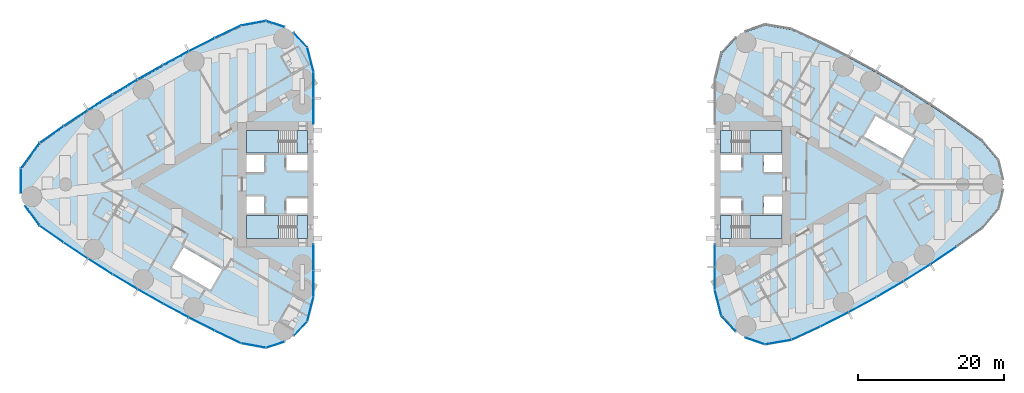
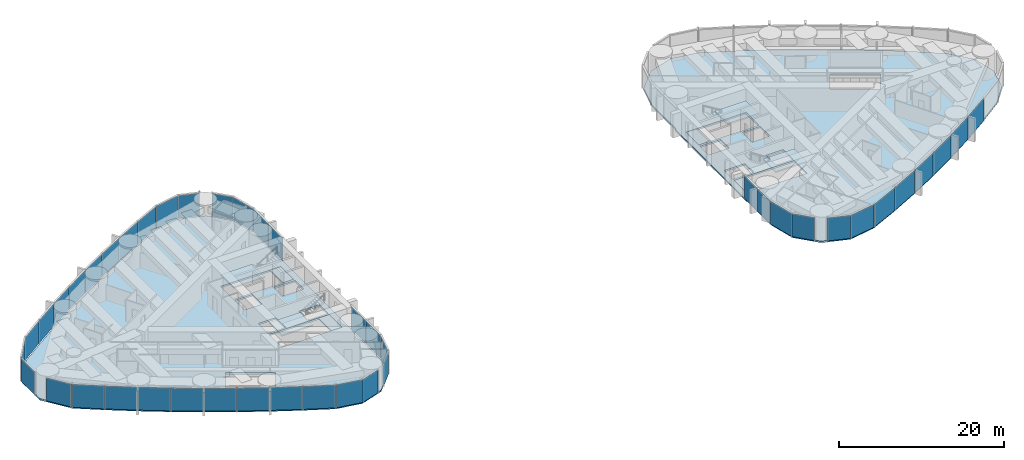
# One storey, part 10 of 19: 43 plates, 10 slabs, 10 elements without a shape of their own.
"""IFC4 building model written with IfcOpenShell, lengths in metres."""

from ifc_helpers import new_model, si_unit, direction, frame, origin, origin_2d, place, context, subcontext, project, spatial, polyline, rectangle, outline, extrude, material, layer, layer_set, type_object, element, aggregate, save


model = new_model("IFC4")

# Units and contexts
model_context = context("Model", 3, precision=1e-05, world=origin(), true_north=direction((0.0, 1.0)))
body_context = subcontext(model_context, "Body", "Model", "MODEL_VIEW")
ifc_project = project(units=[si_unit("LENGTHUNIT", "METRE"), si_unit("AREAUNIT", "SQUARE_METRE"), si_unit("VOLUMEUNIT", "CUBIC_METRE"), si_unit("PLANEANGLEUNIT", "RADIAN"), si_unit("MASSUNIT", "GRAM", prefix="KILO")], contexts=[model_context])

# Site, building, storey
site_placement = place(None, origin())
site = spatial("IfcSite", under=ifc_project, at=site_placement, CompositionType="ELEMENT")
building_placement = place(site_placement, origin())
building = spatial("IfcBuilding", under=site, at=building_placement, Name="Lancet Gate Hotel", CompositionType="ELEMENT")
storey_placement = place(building_placement, frame((0.0, 0.0, 184.300048828125)))
storey = spatial("IfcBuildingStorey", under=building, at=storey_placement, Name="L49", CompositionType="ELEMENT", Elevation=184.300048828125)

# Slabs
ifc_material_1 = material(Name="Concrete C50/60", Category="concrete")
ifc_layer_1 = layer(ifc_material_1, 0.25)
ifc_layer_set_1 = layer_set([ifc_layer_1], Name="Floor slab 250")
slab_type_1 = type_object("IfcSlabType", Name="Floor slab 250", PredefinedType="FLOOR", material=ifc_layer_set_1)
slab_1_placement = place(storey_placement, frame((0.0, 0.0, -0.25)))
element("IfcSlab", 1, at=slab_1_placement, inside=storey, type_object=slab_type_1, Name="T1 L49 floor slab", PredefinedType="FLOOR", context=body_context, shape_type="SweptSolid", body=[
    extrude(outline(polyline([(-27.5, 8.60009765625), (-27.6201171875, 8.60009765625), (-27.6201171875, 15.408203125), (-28.46923828125, 18.7265625), (-30.797607421875, 21.217529296875), (-34.0361328125, 22.283935546875), (-37.403564453125, 21.660400390625), (-40.996826171875, 19.9453125), (-44.561767578125, 18.139404296875), (-48.0830078125, 16.250244140625), (-51.558837890625, 14.27880859375), (-54.987548828125, 12.22607421875), (-58.366943359375, 10.09326171875), (-61.695068359375, 7.881591796875), (-64.955322265625, 5.602783203125), (-67.49560546875, 2.138427734375), (-67.49560546875, -2.138427734375), (-64.955322265625, -5.602783203125), (-61.695068359375, -7.881591796875), (-58.366943359375, -10.09326171875), (-54.987548828125, -12.22607421875), (-51.558837890625, -14.27880859375), (-48.0830078125, -16.250244140625), (-44.561767578125, -18.139404296875), (-40.996826171875, -19.9453125), (-37.403564453125, -21.660400390625), (-34.0361328125, -22.283935546875), (-30.797607421875, -21.217529296875), (-28.46923828125, -18.7265625), (-27.6201171875, -15.408203125), (-27.6201171875, -8.60009765625), (-27.5, -8.60009765625), (-27.5, -8.199951171875), (-27.5, 8.199951171875), (-27.5, 8.60009765625)]), holes=[polyline([(-36.699951171875, 7.39990234375), (-36.699951171875, 4.300048828125), (-28.300048828125, 4.300048828125), (-28.300048828125, 7.39990234375), (-36.699951171875, 7.39990234375)]), polyline([(-28.300048828125, 4.0), (-31.199951171875, 4.0), (-31.199951171875, 1.89990234375), (-28.300048828125, 1.89990234375), (-28.300048828125, 4.0)]), polyline([(-34.25, 4.0), (-36.699951171875, 4.0), (-36.699951171875, 1.64990234375), (-34.25, 1.64990234375), (-34.25, 4.0)]), polyline([(-36.699951171875, -1.64990234375), (-36.699951171875, -4.0), (-34.25, -4.0), (-34.25, -1.64990234375), (-36.699951171875, -1.64990234375)]), polyline([(-28.300048828125, -1.89990234375), (-31.199951171875, -1.89990234375), (-31.199951171875, -4.0), (-28.300048828125, -4.0), (-28.300048828125, -1.89990234375)]), polyline([(-28.300048828125, -4.300048828125), (-36.699951171875, -4.300048828125), (-36.699951171875, -7.39990234375), (-28.300048828125, -7.39990234375), (-28.300048828125, -4.300048828125)]), polyline([(-45.319091796875, -8.631103515625), (-46.9189453125, -11.402099609375), (-41.635986328125, -14.451904296875), (-40.035888671875, -11.680908203125), (-45.319091796875, -8.631103515625)])]), origin(), (0.0, 0.0, 1.0), 0.25),
])
slab_2_placement = place(storey_placement, frame((0.0, 0.0, -0.25)))
element("IfcSlab", 2, at=slab_2_placement, inside=storey, type_object=slab_type_1, Name="T2 L49 floor slab", PredefinedType="FLOOR", context=body_context, shape_type="SweptSolid", body=[
    extrude(outline(polyline([(27.5, -8.60009765625), (27.6201171875, -8.60009765625), (27.6201171875, -14.450439453125), (28.517822265625, -17.9853515625), (30.98291015625, -20.65185546875), (34.421875, -21.819091796875), (38.01513671875, -21.201171875), (41.9296875, -19.383056640625), (45.796875, -17.435302734375), (49.6005859375, -15.36572265625), (53.336669921875, -13.1767578125), (57.00146484375, -10.87060546875), (60.591552734375, -8.44921875), (64.092041015625, -5.9228515625), (66.283447265625, -3.307373046875), (67.06640625, 0.0), (66.283447265625, 3.307373046875), (64.092041015625, 5.9228515625), (60.591552734375, 8.44921875), (57.00146484375, 10.87060546875), (53.336669921875, 13.1767578125), (49.6005859375, 15.36572265625), (45.796875, 17.435302734375), (41.9296875, 19.383056640625), (38.01513671875, 21.201171875), (34.421875, 21.819091796875), (30.98291015625, 20.65185546875), (28.517822265625, 17.9853515625), (27.6201171875, 14.450439453125), (27.6201171875, 8.60009765625), (27.5, 8.60009765625), (27.5, 8.199951171875), (27.5, -8.199951171875), (27.5, -8.60009765625)]), holes=[polyline([(36.699951171875, -7.39990234375), (36.699951171875, -4.300048828125), (28.300048828125, -4.300048828125), (28.300048828125, -7.39990234375), (36.699951171875, -7.39990234375)]), polyline([(28.300048828125, -4.0), (31.199951171875, -4.0), (31.199951171875, -1.89990234375), (28.300048828125, -1.89990234375), (28.300048828125, -4.0)]), polyline([(34.25, -4.0), (36.699951171875, -4.0), (36.699951171875, -1.64990234375), (34.25, -1.64990234375), (34.25, -4.0)]), polyline([(36.699951171875, 1.64990234375), (36.699951171875, 4.0), (34.25, 4.0), (34.25, 1.64990234375), (36.699951171875, 1.64990234375)]), polyline([(28.300048828125, 1.89990234375), (31.199951171875, 1.89990234375), (31.199951171875, 4.0), (28.300048828125, 4.0), (28.300048828125, 1.89990234375)]), polyline([(28.300048828125, 4.300048828125), (36.699951171875, 4.300048828125), (36.699951171875, 7.39990234375), (28.300048828125, 7.39990234375), (28.300048828125, 4.300048828125)]), polyline([(53.242919921875, 3.555908203125), (54.843017578125, 6.326904296875), (49.56103515625, 9.376953125), (47.9609375, 6.60595703125), (53.242919921875, 3.555908203125)])]), origin(), (0.0, 0.0, 1.0), 0.25),
])

# Stair, slabs
ifc_material_2 = material(Name="Exit stair 20 risers 1500")
stair_type = type_object("IfcStairType", Name="Exit stair 20 risers 1500", PredefinedType="HALF_TURN_STAIR", material=ifc_material_2)
stair_1_placement = place(storey_placement, origin())
stair_1 = element("IfcStair", 3, at=stair_1_placement, inside=storey, type_object=stair_type, Name="T1 stair 1 L49", PredefinedType="HALF_TURN_STAIR")
ifc_material_3 = material(Name="Concrete C40/50", Category="concrete")
ifc_layer_2 = layer(ifc_material_3, 0.199951171875)
ifc_layer_set_2 = layer_set([ifc_layer_2], Name="Stair landing 200")
slab_type_2 = type_object("IfcSlabType", Name="Stair landing 200", PredefinedType="LANDING", material=ifc_layer_set_2)
slab_3_placement = place(storey_placement, frame((0.0, 0.0, -0.199951171875)))
slab_3 = element("IfcSlab", 4, at=slab_3_placement, type_object=slab_type_2, Name="ST1 landing 1", PredefinedType="LANDING", context=body_context, shape_type="SweptSolid", body=[
    extrude(outline(polyline([(-28.300048828125, 7.39990234375), (-29.800048828125, 7.39990234375), (-29.800048828125, 4.300048828125), (-28.300048828125, 4.300048828125), (-28.300048828125, 7.39990234375)])), origin(), (0.0, 0.0, 1.0), 0.199951171875),
])
slab_4_placement = place(storey_placement, frame((0.0, 0.0, 1.550048828125)))
slab_4 = element("IfcSlab", 5, at=slab_4_placement, type_object=slab_type_2, Name="ST1 landing 2", PredefinedType="LANDING", context=body_context, shape_type="SweptSolid", body=[
    extrude(outline(polyline([(-32.320068359375, 7.39990234375), (-36.699951171875, 7.39990234375), (-36.699951171875, 4.300048828125), (-32.320068359375, 4.300048828125), (-32.320068359375, 7.39990234375)])), origin(), (0.0, 0.0, 1.0), 0.199951171875),
])
aggregate(stair_1, [slab_3, slab_4])

stair_2_placement = place(storey_placement, origin())
stair_2 = element("IfcStair", 6, at=stair_2_placement, inside=storey, type_object=stair_type, Name="T1 stair 2 L49", PredefinedType="HALF_TURN_STAIR")
slab_5_placement = place(storey_placement, frame((0.0, 0.0, -0.199951171875)))
slab_5 = element("IfcSlab", 7, at=slab_5_placement, type_object=slab_type_2, Name="ST2 landing 1", PredefinedType="LANDING", context=body_context, shape_type="SweptSolid", body=[
    extrude(outline(polyline([(-28.300048828125, -4.300048828125), (-29.800048828125, -4.300048828125), (-29.800048828125, -7.39990234375), (-28.300048828125, -7.39990234375), (-28.300048828125, -4.300048828125)])), origin(), (0.0, 0.0, 1.0), 0.199951171875),
])
slab_6_placement = place(storey_placement, frame((0.0, 0.0, 1.550048828125)))
slab_6 = element("IfcSlab", 8, at=slab_6_placement, type_object=slab_type_2, Name="ST2 landing 2", PredefinedType="LANDING", context=body_context, shape_type="SweptSolid", body=[
    extrude(outline(polyline([(-32.320068359375, -4.300048828125), (-36.699951171875, -4.300048828125), (-36.699951171875, -7.39990234375), (-32.320068359375, -7.39990234375), (-32.320068359375, -4.300048828125)])), origin(), (0.0, 0.0, 1.0), 0.199951171875),
])
aggregate(stair_2, [slab_5, slab_6])

stair_3_placement = place(storey_placement, origin())
stair_3 = element("IfcStair", 9, at=stair_3_placement, inside=storey, type_object=stair_type, Name="T2 stair 1 L49", PredefinedType="HALF_TURN_STAIR")
slab_7_placement = place(storey_placement, frame((0.0, 0.0, -0.199951171875)))
slab_7 = element("IfcSlab", 10, at=slab_7_placement, type_object=slab_type_2, Name="ST3 landing 1", PredefinedType="LANDING", context=body_context, shape_type="SweptSolid", body=[
    extrude(outline(polyline([(28.300048828125, -7.39990234375), (29.800048828125, -7.39990234375), (29.800048828125, -4.300048828125), (28.300048828125, -4.300048828125), (28.300048828125, -7.39990234375)])), origin(), (0.0, 0.0, 1.0), 0.199951171875),
])
slab_8_placement = place(storey_placement, frame((0.0, 0.0, 1.550048828125)))
slab_8 = element("IfcSlab", 11, at=slab_8_placement, type_object=slab_type_2, Name="ST3 landing 2", PredefinedType="LANDING", context=body_context, shape_type="SweptSolid", body=[
    extrude(outline(polyline([(32.320068359375, -7.39990234375), (36.699951171875, -7.39990234375), (36.699951171875, -4.300048828125), (32.320068359375, -4.300048828125), (32.320068359375, -7.39990234375)])), origin(), (0.0, 0.0, 1.0), 0.199951171875),
])
aggregate(stair_3, [slab_7, slab_8])

stair_4_placement = place(storey_placement, origin())
stair_4 = element("IfcStair", 12, at=stair_4_placement, inside=storey, type_object=stair_type, Name="T2 stair 2 L49", PredefinedType="HALF_TURN_STAIR")
slab_9_placement = place(storey_placement, frame((0.0, 0.0, -0.199951171875)))
slab_9 = element("IfcSlab", 13, at=slab_9_placement, type_object=slab_type_2, Name="ST4 landing 1", PredefinedType="LANDING", context=body_context, shape_type="SweptSolid", body=[
    extrude(outline(polyline([(28.300048828125, 4.300048828125), (29.800048828125, 4.300048828125), (29.800048828125, 7.39990234375), (28.300048828125, 7.39990234375), (28.300048828125, 4.300048828125)])), origin(), (0.0, 0.0, 1.0), 0.199951171875),
])
slab_10_placement = place(storey_placement, frame((0.0, 0.0, 1.550048828125)))
slab_10 = element("IfcSlab", 14, at=slab_10_placement, type_object=slab_type_2, Name="ST4 landing 2", PredefinedType="LANDING", context=body_context, shape_type="SweptSolid", body=[
    extrude(outline(polyline([(32.320068359375, 4.300048828125), (36.699951171875, 4.300048828125), (36.699951171875, 7.39990234375), (32.320068359375, 7.39990234375), (32.320068359375, 4.300048828125)])), origin(), (0.0, 0.0, 1.0), 0.199951171875),
])
aggregate(stair_4, [slab_9, slab_10])

# Curtain wall, plates
ifc_material_4 = material(Name="Aluminium curtain wall", Category="aluminium")
curtain_wall_type = type_object("IfcCurtainWallType", Name="Tower unitised curtain wall", PredefinedType="USERDEFINED", material=ifc_material_4)
curtain_wall_1_placement = place(storey_placement, origin())
curtain_wall_1 = element("IfcCurtainWall", 15, at=curtain_wall_1_placement, inside=storey, type_object=curtain_wall_type, Name="T1 L49 curtain wall 1", ObjectType="UNITISED CURTAIN WALL", PredefinedType="USERDEFINED")
ifc_material_5 = material(Name="Glass double glazed unit 8-16-6", Category="glass")
ifc_layer_3 = layer(ifc_material_5, 0.030029296875)
ifc_layer_set_3 = layer_set([ifc_layer_3], Name="Vision panel double glazed")
plate_type = type_object("IfcPlateType", Name="Vision panel double glazed", PredefinedType="CURTAIN_PANEL", material=ifc_layer_set_3)
plate_1_placement = place(storey_placement, frame((-27.5, 10.005859375, 0.0), z_axis=(0.0, 0.0, 1.0), x_axis=(0.0, 1.0, 0.0)))
plate_1 = element("IfcPlate", 16, at=plate_1_placement, type_object=plate_type, Name="T1 L49 curtain wall 1 panel 1", PredefinedType="CURTAIN_PANEL", context=body_context, shape_type="SweptSolid", body=[
    extrude(rectangle(XDim=3.546630859375, YDim=0.030029296875, at=origin_2d()), origin(), (0.0, 0.0, 1.0), 3.35009765625),
])
plate_2_placement = place(storey_placement, frame((-27.5, 13.617431640625, 0.0), z_axis=(0.0, 0.0, 1.0), x_axis=(0.0, 1.0, 0.0)))
plate_2 = element("IfcPlate", 17, at=plate_2_placement, type_object=plate_type, Name="T1 L49 curtain wall 1 panel 2", PredefinedType="CURTAIN_PANEL", context=body_context, shape_type="SweptSolid", body=[
    extrude(rectangle(XDim=3.546630859375, YDim=0.030029296875, at=origin_2d()), origin(), (0.0, 0.0, 1.0), 3.35009765625),
])
plate_3_placement = place(storey_placement, frame((-27.930419921875, 17.104736328125, 0.0), z_axis=(0.0, 0.0, 1.0), x_axis=(-0.247936754654, 0.968776220647, 0.0)))
plate_3 = element("IfcPlate", 18, at=plate_3_placement, type_object=plate_type, Name="T1 L49 curtain wall 1 panel 3", PredefinedType="CURTAIN_PANEL", context=body_context, shape_type="SweptSolid", body=[
    extrude(rectangle(XDim=3.406005859375, YDim=0.030029296875, at=origin_2d()), origin(), (0.0, 0.0, 1.0), 3.35009765625),
])
plate_4_placement = place(storey_placement, frame((-29.28564453125, 19.77587890625, 0.0), z_axis=(0.0, 0.0, 1.0), x_axis=(-0.682844962172, 0.730563315282, 0.0)))
plate_4 = element("IfcPlate", 19, at=plate_4_placement, type_object=plate_type, Name="T1 L49 curtain wall 1 panel 4", PredefinedType="CURTAIN_PANEL", context=body_context, shape_type="SweptSolid", body=[
    extrude(rectangle(XDim=2.64453125, YDim=0.030029296875, at=origin_2d()), origin(), (0.0, 0.0, 1.0), 3.35009765625),
])
aggregate(curtain_wall_1, [plate_1, plate_2, plate_3, plate_4])

curtain_wall_2_placement = place(storey_placement, origin())
curtain_wall_2 = element("IfcCurtainWall", 20, at=curtain_wall_2_placement, inside=storey, type_object=curtain_wall_type, Name="T1 L49 curtain wall 2", ObjectType="UNITISED CURTAIN WALL", PredefinedType="USERDEFINED")
plate_5_placement = place(storey_placement, frame((-32.740234375, 21.983642578125, 0.0), z_axis=(0.0, 0.0, 1.0), x_axis=(-0.949848055084, 0.312711803827, 0.0)))
plate_5 = element("IfcPlate", 21, at=plate_5_placement, type_object=plate_type, Name="T1 L49 curtain wall 2 panel 1", PredefinedType="CURTAIN_PANEL", context=body_context, shape_type="SweptSolid", body=[
    extrude(rectangle(XDim=2.64599609375, YDim=0.030029296875, at=origin_2d()), origin(), (0.0, 0.0, 1.0), 3.35009765625),
])
plate_6_placement = place(storey_placement, frame((-35.734375, 22.091552734375, 0.0), z_axis=(0.0, 0.0, 1.0), x_axis=(-0.983292499426, -0.182032581075, 0.0)))
plate_6 = element("IfcPlate", 22, at=plate_6_placement, type_object=plate_type, Name="T1 L49 curtain wall 2 panel 2", PredefinedType="CURTAIN_PANEL", context=body_context, shape_type="SweptSolid", body=[
    extrude(rectangle(XDim=3.406005859375, YDim=0.030029296875, at=origin_2d()), origin(), (0.0, 0.0, 1.0), 3.35009765625),
])
plate_7_placement = place(storey_placement, frame((-39.245361328125, 20.914306640625, 0.0), z_axis=(0.0, 0.0, 1.0), x_axis=(-0.902453530018, -0.430787216799, 0.0)))
plate_7 = element("IfcPlate", 23, at=plate_7_placement, type_object=plate_type, Name="T1 L49 curtain wall 2 panel 3", PredefinedType="CURTAIN_PANEL", context=body_context, shape_type="SweptSolid", body=[
    extrude(rectangle(XDim=3.933837890625, YDim=0.030029296875, at=origin_2d()), origin(), (0.0, 0.0, 1.0), 3.35009765625),
])
plate_8_placement = place(storey_placement, frame((-42.83349609375, 19.1494140625, 0.0), z_axis=(0.0, 0.0, 1.0), x_axis=(-0.892071119911, -0.451895028762, 0.0)))
plate_8 = element("IfcPlate", 24, at=plate_8_placement, type_object=plate_type, Name="T1 L49 curtain wall 2 panel 4", PredefinedType="CURTAIN_PANEL", context=body_context, shape_type="SweptSolid", body=[
    extrude(rectangle(XDim=3.933837890625, YDim=0.030029296875, at=origin_2d()), origin(), (0.0, 0.0, 1.0), 3.35009765625),
])
plate_9_placement = place(storey_placement, frame((-46.379150390625, 17.300537109375, 0.0), z_axis=(0.0, 0.0, 1.0), x_axis=(-0.881195096384, -0.472752791751, 0.0)))
plate_9 = element("IfcPlate", 25, at=plate_9_placement, type_object=plate_type, Name="T1 L49 curtain wall 2 panel 5", PredefinedType="CURTAIN_PANEL", context=body_context, shape_type="SweptSolid", body=[
    extrude(rectangle(XDim=3.933837890625, YDim=0.030029296875, at=origin_2d()), origin(), (0.0, 0.0, 1.0), 3.35009765625),
])
plate_10_placement = place(storey_placement, frame((-49.880126953125, 15.368896484375, 0.0), z_axis=(0.0, 0.0, 1.0), x_axis=(-0.869831477496, -0.493348964484, 0.0)))
plate_10 = element("IfcPlate", 26, at=plate_10_placement, type_object=plate_type, Name="T1 L49 curtain wall 2 panel 6", PredefinedType="CURTAIN_PANEL", context=body_context, shape_type="SweptSolid", body=[
    extrude(rectangle(XDim=3.933837890625, YDim=0.030029296875, at=origin_2d()), origin(), (0.0, 0.0, 1.0), 3.35009765625),
])
plate_11_placement = place(storey_placement, frame((-53.3349609375, 13.35546875, 0.0), z_axis=(0.0, 0.0, 1.0), x_axis=(-0.857986551132, -0.51367215038, 0.0)))
plate_11 = element("IfcPlate", 27, at=plate_11_placement, type_object=plate_type, Name="T1 L49 curtain wall 2 panel 7", PredefinedType="CURTAIN_PANEL", context=body_context, shape_type="SweptSolid", body=[
    extrude(rectangle(XDim=3.933837890625, YDim=0.030029296875, at=origin_2d()), origin(), (0.0, 0.0, 1.0), 3.35009765625),
])
plate_12_placement = place(storey_placement, frame((-56.7412109375, 11.26123046875, 0.0), z_axis=(0.0, 0.0, 1.0), x_axis=(-0.845666871497, -0.533711103925, 0.0)))
plate_12 = element("IfcPlate", 28, at=plate_12_placement, type_object=plate_type, Name="T1 L49 curtain wall 2 panel 8", PredefinedType="CURTAIN_PANEL", context=body_context, shape_type="SweptSolid", body=[
    extrude(rectangle(XDim=3.933837890625, YDim=0.030029296875, at=origin_2d()), origin(), (0.0, 0.0, 1.0), 3.35009765625),
])
plate_13_placement = place(storey_placement, frame((-60.097412109375, 9.08740234375, 0.0), z_axis=(0.0, 0.0, 1.0), x_axis=(-0.832879255498, -0.553454736867, 0.0)))
plate_13 = element("IfcPlate", 29, at=plate_13_placement, type_object=plate_type, Name="T1 L49 curtain wall 2 panel 9", PredefinedType="CURTAIN_PANEL", context=body_context, shape_type="SweptSolid", body=[
    extrude(rectangle(XDim=3.933837890625, YDim=0.030029296875, at=origin_2d()), origin(), (0.0, 0.0, 1.0), 3.35009765625),
])
plate_14_placement = place(storey_placement, frame((-63.401611328125, 6.835205078125, 0.0), z_axis=(0.0, 0.0, 1.0), x_axis=(-0.819630778943, -0.572892124409, 0.0)))
plate_14 = element("IfcPlate", 30, at=plate_14_placement, type_object=plate_type, Name="T1 L49 curtain wall 2 panel 10", PredefinedType="CURTAIN_PANEL", context=body_context, shape_type="SweptSolid", body=[
    extrude(rectangle(XDim=3.933837890625, YDim=0.030029296875, at=origin_2d()), origin(), (0.0, 0.0, 1.0), 3.35009765625),
])
plate_15_placement = place(storey_placement, frame((-66.328125, 3.933837890625, 0.0), z_axis=(0.0, 0.0, 1.0), x_axis=(-0.591299785592, -0.806451835858, 0.0)))
plate_15 = element("IfcPlate", 31, at=plate_15_placement, type_object=plate_type, Name="T1 L49 curtain wall 2 panel 11", PredefinedType="CURTAIN_PANEL", context=body_context, shape_type="SweptSolid", body=[
    extrude(rectangle(XDim=4.290283203125, YDim=0.030029296875, at=origin_2d()), origin(), (0.0, 0.0, 1.0), 3.35009765625),
])
plate_16_placement = place(storey_placement, frame((-67.61572265625, 0.478515625, 0.0), z_axis=(0.0, 0.0, 1.0), x_axis=(0.0, -1.0, 0.0)))
plate_16 = element("IfcPlate", 32, at=plate_16_placement, type_object=plate_type, Name="T1 L49 curtain wall 2 panel 12", PredefinedType="CURTAIN_PANEL", context=body_context, shape_type="SweptSolid", body=[
    extrude(rectangle(XDim=3.333251953125, YDim=0.030029296875, at=origin_2d()), origin(), (0.0, 0.0, 1.0), 3.35009765625),
])
aggregate(curtain_wall_2, [plate_5, plate_6, plate_7, plate_8, plate_9, plate_10, plate_11, plate_12, plate_13, plate_14, plate_15, plate_16])

curtain_wall_3_placement = place(storey_placement, origin())
curtain_wall_3 = element("IfcCurtainWall", 33, at=curtain_wall_3_placement, inside=storey, type_object=curtain_wall_type, Name="T1 L49 curtain wall 3", ObjectType="UNITISED CURTAIN WALL", PredefinedType="USERDEFINED")
plate_17_placement = place(storey_placement, frame((-66.04541015625, -4.3193359375, 0.0), z_axis=(0.0, 0.0, 1.0), x_axis=(0.591299785592, -0.806451835858, 0.0)))
plate_17 = element("IfcPlate", 34, at=plate_17_placement, type_object=plate_type, Name="T1 L49 curtain wall 3 panel 1", PredefinedType="CURTAIN_PANEL", context=body_context, shape_type="SweptSolid", body=[
    extrude(rectangle(XDim=3.334228515625, YDim=0.030029296875, at=origin_2d()), origin(), (0.0, 0.0, 1.0), 3.35009765625),
])
plate_18_placement = place(storey_placement, frame((-63.401611328125, -6.835205078125, 0.0), z_axis=(0.0, 0.0, 1.0), x_axis=(0.819630778943, -0.572892124409, 0.0)))
plate_18 = element("IfcPlate", 35, at=plate_18_placement, type_object=plate_type, Name="T1 L49 curtain wall 3 panel 2", PredefinedType="CURTAIN_PANEL", context=body_context, shape_type="SweptSolid", body=[
    extrude(rectangle(XDim=3.933837890625, YDim=0.030029296875, at=origin_2d()), origin(), (0.0, 0.0, 1.0), 3.35009765625),
])
plate_19_placement = place(storey_placement, frame((-60.097412109375, -9.08740234375, 0.0), z_axis=(0.0, 0.0, 1.0), x_axis=(0.832879255498, -0.553454736867, 0.0)))
plate_19 = element("IfcPlate", 36, at=plate_19_placement, type_object=plate_type, Name="T1 L49 curtain wall 3 panel 3", PredefinedType="CURTAIN_PANEL", context=body_context, shape_type="SweptSolid", body=[
    extrude(rectangle(XDim=3.933837890625, YDim=0.030029296875, at=origin_2d()), origin(), (0.0, 0.0, 1.0), 3.35009765625),
])
plate_20_placement = place(storey_placement, frame((-56.7412109375, -11.26123046875, 0.0), z_axis=(0.0, 0.0, 1.0), x_axis=(0.845666871497, -0.533711103925, 0.0)))
plate_20 = element("IfcPlate", 37, at=plate_20_placement, type_object=plate_type, Name="T1 L49 curtain wall 3 panel 4", PredefinedType="CURTAIN_PANEL", context=body_context, shape_type="SweptSolid", body=[
    extrude(rectangle(XDim=3.933837890625, YDim=0.030029296875, at=origin_2d()), origin(), (0.0, 0.0, 1.0), 3.35009765625),
])
plate_21_placement = place(storey_placement, frame((-53.3349609375, -13.35546875, 0.0), z_axis=(0.0, 0.0, 1.0), x_axis=(0.857986551132, -0.51367215038, 0.0)))
plate_21 = element("IfcPlate", 38, at=plate_21_placement, type_object=plate_type, Name="T1 L49 curtain wall 3 panel 5", PredefinedType="CURTAIN_PANEL", context=body_context, shape_type="SweptSolid", body=[
    extrude(rectangle(XDim=3.933837890625, YDim=0.030029296875, at=origin_2d()), origin(), (0.0, 0.0, 1.0), 3.35009765625),
])
plate_22_placement = place(storey_placement, frame((-49.880126953125, -15.368896484375, 0.0), z_axis=(0.0, 0.0, 1.0), x_axis=(0.869831477496, -0.493348964484, 0.0)))
plate_22 = element("IfcPlate", 39, at=plate_22_placement, type_object=plate_type, Name="T1 L49 curtain wall 3 panel 6", PredefinedType="CURTAIN_PANEL", context=body_context, shape_type="SweptSolid", body=[
    extrude(rectangle(XDim=3.933837890625, YDim=0.030029296875, at=origin_2d()), origin(), (0.0, 0.0, 1.0), 3.35009765625),
])
plate_23_placement = place(storey_placement, frame((-46.379150390625, -17.300537109375, 0.0), z_axis=(0.0, 0.0, 1.0), x_axis=(0.881195096384, -0.472752791751, 0.0)))
plate_23 = element("IfcPlate", 40, at=plate_23_placement, type_object=plate_type, Name="T1 L49 curtain wall 3 panel 7", PredefinedType="CURTAIN_PANEL", context=body_context, shape_type="SweptSolid", body=[
    extrude(rectangle(XDim=3.933837890625, YDim=0.030029296875, at=origin_2d()), origin(), (0.0, 0.0, 1.0), 3.35009765625),
])
plate_24_placement = place(storey_placement, frame((-42.83349609375, -19.1494140625, 0.0), z_axis=(0.0, 0.0, 1.0), x_axis=(0.892071119911, -0.451895028762, 0.0)))
plate_24 = element("IfcPlate", 41, at=plate_24_placement, type_object=plate_type, Name="T1 L49 curtain wall 3 panel 8", PredefinedType="CURTAIN_PANEL", context=body_context, shape_type="SweptSolid", body=[
    extrude(rectangle(XDim=3.933837890625, YDim=0.030029296875, at=origin_2d()), origin(), (0.0, 0.0, 1.0), 3.35009765625),
])
plate_25_placement = place(storey_placement, frame((-39.245361328125, -20.914306640625, 0.0), z_axis=(0.0, 0.0, 1.0), x_axis=(0.902453530018, -0.430787216799, 0.0)))
plate_25 = element("IfcPlate", 42, at=plate_25_placement, type_object=plate_type, Name="T1 L49 curtain wall 3 panel 9", PredefinedType="CURTAIN_PANEL", context=body_context, shape_type="SweptSolid", body=[
    extrude(rectangle(XDim=3.933837890625, YDim=0.030029296875, at=origin_2d()), origin(), (0.0, 0.0, 1.0), 3.35009765625),
])
plate_26_placement = place(storey_placement, frame((-35.734375, -22.091552734375, 0.0), z_axis=(0.0, 0.0, 1.0), x_axis=(0.983292499426, -0.182032581075, 0.0)))
plate_26 = element("IfcPlate", 43, at=plate_26_placement, type_object=plate_type, Name="T1 L49 curtain wall 3 panel 10", PredefinedType="CURTAIN_PANEL", context=body_context, shape_type="SweptSolid", body=[
    extrude(rectangle(XDim=3.406005859375, YDim=0.030029296875, at=origin_2d()), origin(), (0.0, 0.0, 1.0), 3.35009765625),
])
plate_27_placement = place(storey_placement, frame((-32.740234375, -21.983642578125, 0.0), z_axis=(0.0, 0.0, 1.0), x_axis=(0.949848055084, 0.312711803827, 0.0)))
plate_27 = element("IfcPlate", 44, at=plate_27_placement, type_object=plate_type, Name="T1 L49 curtain wall 3 panel 11", PredefinedType="CURTAIN_PANEL", context=body_context, shape_type="SweptSolid", body=[
    extrude(rectangle(XDim=2.64599609375, YDim=0.030029296875, at=origin_2d()), origin(), (0.0, 0.0, 1.0), 3.35009765625),
])
aggregate(curtain_wall_3, [plate_17, plate_18, plate_19, plate_20, plate_21, plate_22, plate_23, plate_24, plate_25, plate_26, plate_27])

curtain_wall_4_placement = place(storey_placement, origin())
curtain_wall_4 = element("IfcCurtainWall", 45, at=curtain_wall_4_placement, inside=storey, type_object=curtain_wall_type, Name="T1 L49 curtain wall 4", ObjectType="UNITISED CURTAIN WALL", PredefinedType="USERDEFINED")
plate_28_placement = place(storey_placement, frame((-29.28564453125, -19.77587890625, 0.0), z_axis=(0.0, 0.0, 1.0), x_axis=(0.682844962172, 0.730563315282, 0.0)))
plate_28 = element("IfcPlate", 46, at=plate_28_placement, type_object=plate_type, Name="T1 L49 curtain wall 4 panel 1", PredefinedType="CURTAIN_PANEL", context=body_context, shape_type="SweptSolid", body=[
    extrude(rectangle(XDim=2.64453125, YDim=0.030029296875, at=origin_2d()), origin(), (0.0, 0.0, 1.0), 3.35009765625),
])
plate_29_placement = place(storey_placement, frame((-27.930419921875, -17.104736328125, 0.0), z_axis=(0.0, 0.0, 1.0), x_axis=(0.247936754654, 0.968776220647, 0.0)))
plate_29 = element("IfcPlate", 47, at=plate_29_placement, type_object=plate_type, Name="T1 L49 curtain wall 4 panel 2", PredefinedType="CURTAIN_PANEL", context=body_context, shape_type="SweptSolid", body=[
    extrude(rectangle(XDim=3.406005859375, YDim=0.030029296875, at=origin_2d()), origin(), (0.0, 0.0, 1.0), 3.35009765625),
])
plate_30_placement = place(storey_placement, frame((-27.5, -13.617431640625, 0.0), z_axis=(0.0, 0.0, 1.0), x_axis=(0.0, 1.0, 0.0)))
plate_30 = element("IfcPlate", 48, at=plate_30_placement, type_object=plate_type, Name="T1 L49 curtain wall 4 panel 3", PredefinedType="CURTAIN_PANEL", context=body_context, shape_type="SweptSolid", body=[
    extrude(rectangle(XDim=3.546630859375, YDim=0.030029296875, at=origin_2d()), origin(), (0.0, 0.0, 1.0), 3.35009765625),
])
plate_31_placement = place(storey_placement, frame((-27.5, -10.005859375, 0.0), z_axis=(0.0, 0.0, 1.0), x_axis=(0.0, 1.0, 0.0)))
plate_31 = element("IfcPlate", 49, at=plate_31_placement, type_object=plate_type, Name="T1 L49 curtain wall 4 panel 4", PredefinedType="CURTAIN_PANEL", context=body_context, shape_type="SweptSolid", body=[
    extrude(rectangle(XDim=3.546630859375, YDim=0.030029296875, at=origin_2d()), origin(), (0.0, 0.0, 1.0), 3.35009765625),
])
aggregate(curtain_wall_4, [plate_28, plate_29, plate_30, plate_31])

curtain_wall_5_placement = place(storey_placement, origin())
curtain_wall_5 = element("IfcCurtainWall", 50, at=curtain_wall_5_placement, inside=storey, type_object=curtain_wall_type, Name="T2 L49 curtain wall 1", ObjectType="UNITISED CURTAIN WALL", PredefinedType="USERDEFINED")
plate_32_placement = place(storey_placement, frame((27.5, -9.766357421875, 0.0), z_axis=(0.0, 0.0, 1.0), x_axis=(0.0, -1.0, 0.0)))
plate_32 = element("IfcPlate", 51, at=plate_32_placement, type_object=plate_type, Name="T2 L49 curtain wall 1 panel 1", PredefinedType="CURTAIN_PANEL", context=body_context, shape_type="SweptSolid", body=[
    extrude(rectangle(XDim=3.06787109375, YDim=0.030029296875, at=origin_2d()), origin(), (0.0, 0.0, 1.0), 3.35009765625),
])
plate_33_placement = place(storey_placement, frame((27.5, -12.899169921875, 0.0), z_axis=(0.0, 0.0, 1.0), x_axis=(0.0, -1.0, 0.0)))
plate_33 = element("IfcPlate", 52, at=plate_33_placement, type_object=plate_type, Name="T2 L49 curtain wall 1 panel 2", PredefinedType="CURTAIN_PANEL", context=body_context, shape_type="SweptSolid", body=[
    extrude(rectangle(XDim=3.06787109375, YDim=0.030029296875, at=origin_2d()), origin(), (0.0, 0.0, 1.0), 3.35009765625),
])
plate_34_placement = place(storey_placement, frame((27.95458984375, -16.2548828125, 0.0), z_axis=(0.0, 0.0, 1.0), x_axis=(0.246166705764, -0.969227503207, 0.0)))
plate_34 = element("IfcPlate", 53, at=plate_34_placement, type_object=plate_type, Name="T2 L49 curtain wall 1 panel 3", PredefinedType="CURTAIN_PANEL", context=body_context, shape_type="SweptSolid", body=[
    extrude(rectangle(XDim=3.62744140625, YDim=0.030029296875, at=origin_2d()), origin(), (0.0, 0.0, 1.0), 3.35009765625),
])
plate_35_placement = place(storey_placement, frame((29.4052734375, -19.122314453125, 0.0), z_axis=(0.0, 0.0, 1.0), x_axis=(0.67883123083, -0.734294327943, 0.0)))
plate_35 = element("IfcPlate", 54, at=plate_35_placement, type_object=plate_type, Name="T2 L49 curtain wall 1 panel 4", PredefinedType="CURTAIN_PANEL", context=body_context, shape_type="SweptSolid", body=[
    extrude(rectangle(XDim=2.87060546875, YDim=0.030029296875, at=origin_2d()), origin(), (0.0, 0.0, 1.0), 3.35009765625),
])
aggregate(curtain_wall_5, [plate_32, plate_33, plate_34, plate_35])

curtain_wall_6_placement = place(storey_placement, origin())
curtain_wall_6 = element("IfcCurtainWall", 55, at=curtain_wall_6_placement, inside=storey, type_object=curtain_wall_type, Name="T2 L49 curtain wall 2", ObjectType="UNITISED CURTAIN WALL", PredefinedType="USERDEFINED")
plate_36_placement = place(storey_placement, frame((33.02197265625, -21.470703125, 0.0), z_axis=(0.0, 0.0, 1.0), x_axis=(0.946952368511, -0.321373943827, 0.0)))
plate_36 = element("IfcPlate", 56, at=plate_36_placement, type_object=plate_type, Name="T2 L49 curtain wall 2 panel 1", PredefinedType="CURTAIN_PANEL", context=body_context, shape_type="SweptSolid", body=[
    extrude(rectangle(XDim=2.871337890625, YDim=0.030029296875, at=origin_2d()), origin(), (0.0, 0.0, 1.0), 3.35009765625),
])
plate_37_placement = place(storey_placement, frame((36.231689453125, -21.629638671875, 0.0), z_axis=(0.0, 0.0, 1.0), x_axis=(0.985539649572, 0.169444973729, 0.0)))
plate_37 = element("IfcPlate", 57, at=plate_37_placement, type_object=plate_type, Name="T2 L49 curtain wall 2 panel 2", PredefinedType="CURTAIN_PANEL", context=body_context, shape_type="SweptSolid", body=[
    extrude(rectangle(XDim=3.62744140625, YDim=0.030029296875, at=origin_2d()), origin(), (0.0, 0.0, 1.0), 3.35009765625),
])
plate_38_placement = place(storey_placement, frame((40.0166015625, -20.40380859375, 0.0), z_axis=(0.0, 0.0, 1.0), x_axis=(0.906934888522, 0.421270824982, 0.0)))
plate_38 = element("IfcPlate", 58, at=plate_38_placement, type_object=plate_type, Name="T2 L49 curtain wall 2 panel 3", PredefinedType="CURTAIN_PANEL", context=body_context, shape_type="SweptSolid", body=[
    extrude(rectangle(XDim=4.26904296875, YDim=0.030029296875, at=origin_2d()), origin(), (0.0, 0.0, 1.0), 3.35009765625),
])
plate_39_placement = place(storey_placement, frame((43.917236328125, -18.516357421875, 0.0), z_axis=(0.0, 0.0, 1.0), x_axis=(0.893121465596, 0.449815570752, 0.0)))
plate_39 = element("IfcPlate", 59, at=plate_39_placement, type_object=plate_type, Name="T2 L49 curtain wall 2 panel 4", PredefinedType="CURTAIN_PANEL", context=body_context, shape_type="SweptSolid", body=[
    extrude(rectangle(XDim=4.26904296875, YDim=0.030029296875, at=origin_2d()), origin(), (0.0, 0.0, 1.0), 3.35009765625),
])
plate_40_placement = place(storey_placement, frame((47.756103515625, -16.505859375, 0.0), z_axis=(0.0, 0.0, 1.0), x_axis=(0.878409907967, 0.477907976063, 0.0)))
plate_40 = element("IfcPlate", 60, at=plate_40_placement, type_object=plate_type, Name="T2 L49 curtain wall 2 panel 5", PredefinedType="CURTAIN_PANEL", context=body_context, shape_type="SweptSolid", body=[
    extrude(rectangle(XDim=4.26904296875, YDim=0.030029296875, at=origin_2d()), origin(), (0.0, 0.0, 1.0), 3.35009765625),
])
plate_41_placement = place(storey_placement, frame((51.529296875, -14.374755859375, 0.0), z_axis=(0.0, 0.0, 1.0), x_axis=(0.862815009772, 0.505519790822, 0.0)))
plate_41 = element("IfcPlate", 61, at=plate_41_placement, type_object=plate_type, Name="T2 L49 curtain wall 2 panel 6", PredefinedType="CURTAIN_PANEL", context=body_context, shape_type="SweptSolid", body=[
    extrude(rectangle(XDim=4.26904296875, YDim=0.030029296875, at=origin_2d()), origin(), (0.0, 0.0, 1.0), 3.35009765625),
])
plate_42_placement = place(storey_placement, frame((55.233154296875, -12.125244140625, 0.0), z_axis=(0.0, 0.0, 1.0), x_axis=(0.846352453444, 0.532623248225, 0.0)))
plate_42 = element("IfcPlate", 62, at=plate_42_placement, type_object=plate_type, Name="T2 L49 curtain wall 2 panel 7", PredefinedType="CURTAIN_PANEL", context=body_context, shape_type="SweptSolid", body=[
    extrude(rectangle(XDim=4.26904296875, YDim=0.030029296875, at=origin_2d()), origin(), (0.0, 0.0, 1.0), 3.35009765625),
])
plate_43_placement = place(storey_placement, frame((58.863525390625, -9.75927734375, 0.0), z_axis=(0.0, 0.0, 1.0), x_axis=(0.829038793948, 0.559191092677, 0.0)))
plate_43 = element("IfcPlate", 63, at=plate_43_placement, type_object=plate_type, Name="T2 L49 curtain wall 2 panel 8", PredefinedType="CURTAIN_PANEL", context=body_context, shape_type="SweptSolid", body=[
    extrude(rectangle(XDim=4.26904296875, YDim=0.030029296875, at=origin_2d()), origin(), (0.0, 0.0, 1.0), 3.35009765625),
])
aggregate(curtain_wall_6, [plate_36, plate_37, plate_38, plate_39, plate_40, plate_41, plate_42, plate_43])

save(model, "model.ifc")
